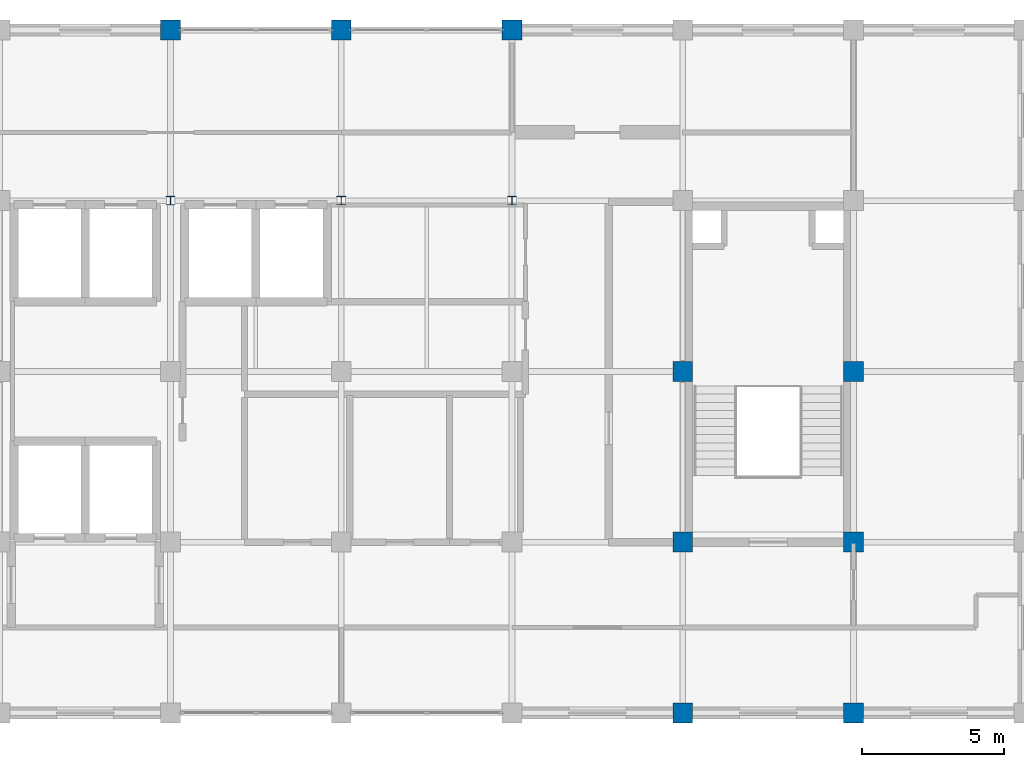
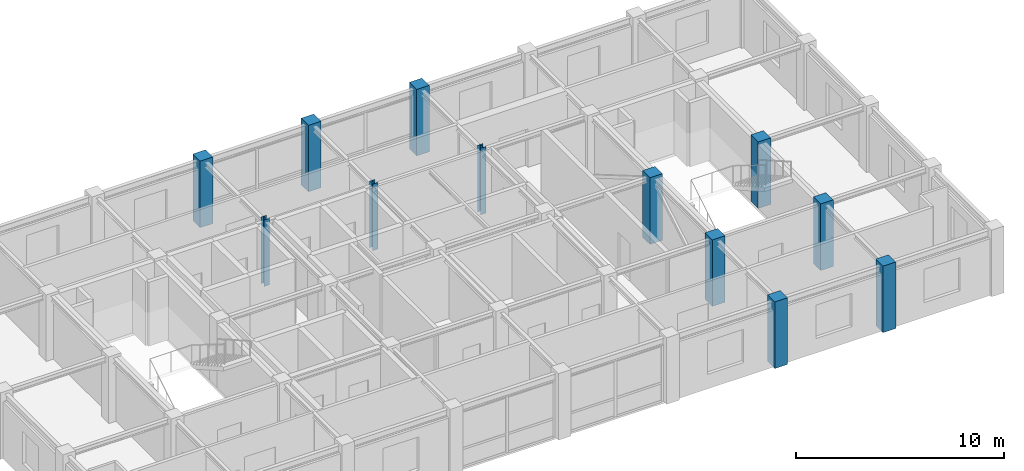
# One storey, part 2 of 11: 12 columns.
"""IFC4 building model written with IfcOpenShell, lengths in metres."""

from ifc_helpers import new_model, si_unit, direction, frame, origin, origin_2d, place, context, subcontext, project, spatial, rectangle, i_section, extrude, material, material_profile, profile_set, type_object, element, save


model = new_model("IFC4")

# Units and contexts
model_context = context("Model", 3, precision=1e-05, world=origin(), true_north=direction((0.0, 1.0)))
body_context = subcontext(model_context, "Body", "Model", "MODEL_VIEW")
ifc_project = project(units=[si_unit("LENGTHUNIT", "METRE"), si_unit("AREAUNIT", "SQUARE_METRE"), si_unit("VOLUMEUNIT", "CUBIC_METRE"), si_unit("PLANEANGLEUNIT", "RADIAN"), si_unit("MASSUNIT", "GRAM", prefix="KILO")], contexts=[model_context])

# Site, building, storey
site_placement = place(None, origin())
site = spatial("IfcSite", under=ifc_project, at=site_placement, CompositionType="ELEMENT")
building_placement = place(site_placement, origin())
building = spatial("IfcBuilding", under=site, at=building_placement, Name="Zlatovratsky Civic Hall", CompositionType="ELEMENT")
storey_placement = place(building_placement, frame((0.0, 0.0, 56.10009765625)))
storey = spatial("IfcBuildingStorey", under=building, at=storey_placement, Name="L14", CompositionType="ELEMENT", Elevation=56.10009765625)

# Columns
ifc_material_1 = material(Name="Concrete C35/45 (B40)", Category="concrete")
ifc_material_profile_1 = material_profile(ifc_material_1, rectangle(XDim=0.699951171875, YDim=0.699951171875, at=origin_2d()), Name="RC 700x700")
ifc_profile_set_1 = profile_set([ifc_material_profile_1], Name="Concrete C35/45 (B40)")
column_type_1 = type_object("IfcColumnType", Name="Col_CorePier_RC700", PredefinedType="COLUMN", material=ifc_profile_set_1)
for number, where, z_axis, x_axis, name in (
    (1, (96.0, 78.0, 0.0), (0.0, 0.0, 1.0), (1.0, 0.0, 0.0), "CL-2516"),
    (2, (102.0, 78.0, 0.0), (0.0, 0.0, 1.0), (1.0, 0.0, 0.0), "CL-2517"),
    (3, (96.0, 84.0, 0.0), (0.0, 0.0, 1.0), (1.0, 0.0, 0.0), "CL-2525"),
    (4, (102.0, 84.0, 0.0), (0.0, 0.0, 1.0), (1.0, 0.0, 0.0), "CL-2526"),
    (5, (96.0, 90.0, 0.0), (0.0, 0.0, 1.0), (1.0, 0.0, 0.0), "CL-2534"),
    (6, (102.0, 90.0, 0.0), (0.0, 0.0, 1.0), (1.0, 0.0, 0.0), "CL-2535"),
    (7, (78.0, 102.0, 0.0), (0.0, 0.0, 1.0), (1.0, 0.0, 0.0), "CL-2549"),
    (8, (84.0, 102.0, 0.0), (0.0, 0.0, 1.0), (1.0, 0.0, 0.0), "CL-2550"),
    (9, (90.0, 102.0, 0.0), (0.0, 0.0, 1.0), (1.0, 0.0, 0.0), "CL-2551"),
):
    element("IfcColumn", number, at=place(storey_placement, frame(where, z_axis=z_axis, x_axis=x_axis)), inside=storey, type_object=column_type_1, Name=name, PredefinedType="COLUMN", context=body_context, shape_type="SweptSolid", body=[
        extrude(rectangle(XDim=0.699951171875, YDim=0.699951171875, at=origin_2d()), origin(), (0.0, 0.0, 1.0), 3.89990234375),
    ])
ifc_material_2 = material(Name="Steel S355", Category="steel")
ifc_material_profile_2 = material_profile(ifc_material_2, i_section(OverallWidth=0.300048828125, OverallDepth=0.300048828125, WebThickness=0.010009765625, FlangeThickness=0.014892578125, FilletRadius=0.01806640625, at=origin_2d()), Name="30K2")
ifc_profile_set_2 = profile_set([ifc_material_profile_2], Name="Steel S355")
column_type_2 = type_object("IfcColumnType", Name="Col_Steel_30K2", PredefinedType="COLUMN", material=ifc_profile_set_2)
for number, where, z_axis, x_axis, name in (
    (10, (78.0, 96.0, 0.0), (0.0, 0.0, 1.0), (1.0, 0.0, 0.0), "CL-2540"),
    (11, (84.0, 96.0, 0.0), (0.0, 0.0, 1.0), (1.0, 0.0, 0.0), "CL-2541"),
    (12, (90.0, 96.0, 0.0), (0.0, 0.0, 1.0), (1.0, 0.0, 0.0), "CL-2542"),
):
    element("IfcColumn", number, at=place(storey_placement, frame(where, z_axis=z_axis, x_axis=x_axis)), inside=storey, type_object=column_type_2, Name=name, PredefinedType="COLUMN", context=body_context, shape_type="SweptSolid", body=[
        extrude(i_section(OverallWidth=0.300048828125, OverallDepth=0.300048828125, WebThickness=0.010009765625, FlangeThickness=0.014892578125, FilletRadius=0.01806640625, at=origin_2d()), origin(), (0.0, 0.0, 1.0), 3.89990234375),
    ])

save(model, "model.ifc")
